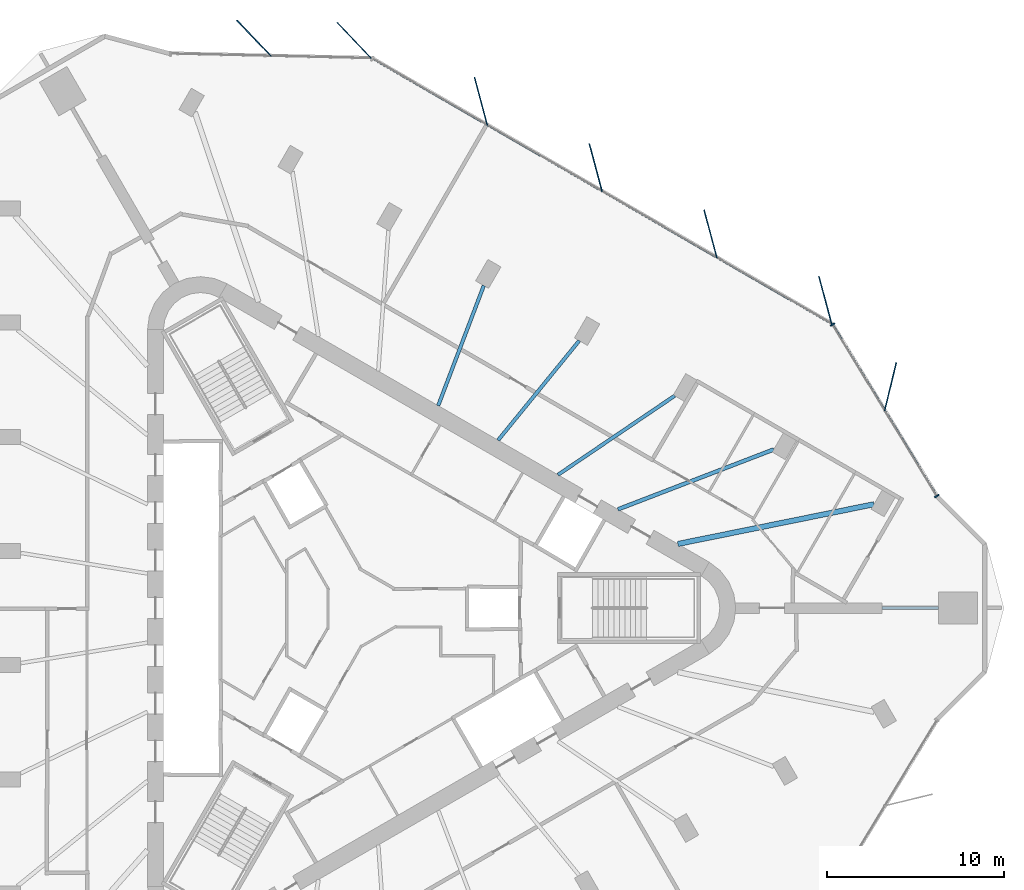
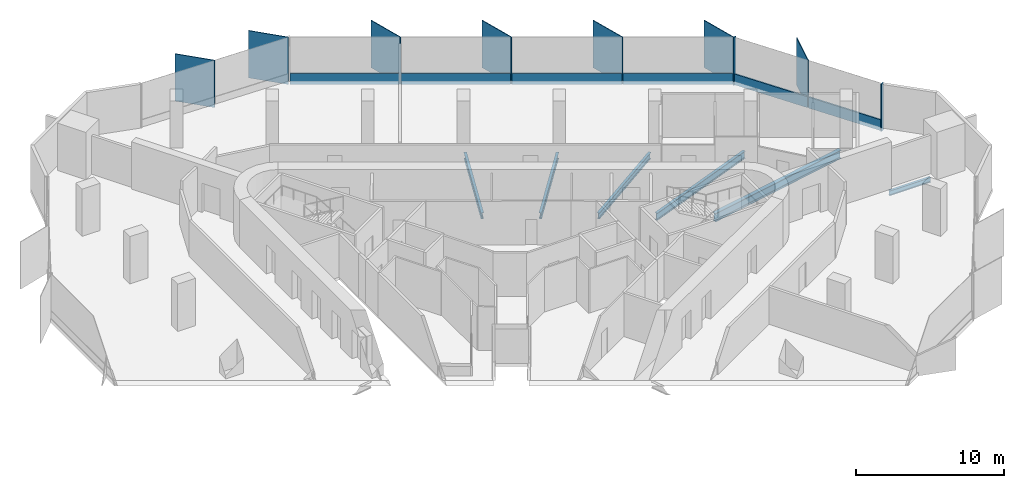
# One storey, part 5 of 12: 15 members, 6 beams, 3 elements without a shape of their own.
"""IFC4 building model written with IfcOpenShell, lengths in metres."""

import ifcopenshell
import ifcopenshell.guid

model = None  # the IFC model being written
_history = None  # IfcOwnerHistory: only IFC2X3 demands one
_inside = {}  # id of a spatial element -> (the spatial element, [elements in it])
_under = {}  # id of a project, library or spatial element -> (it, [spatial elements below it])
_declared = {}  # id of a project -> (the project, [libraries it declares])
_typed = {}  # id of a type object -> (the type object, [elements of that type])
_made_of = {}  # id of a material, layer set ... -> (it, [elements and type objects made of it])


def new_model(schema):
    """Start an empty IFC model of exactly this schema.

    Asked for "IFC4X3", IfcOpenShell would pick the latest addendum, in which some entities
    have other attributes; the version numbers below select the first issue.
    IFC2X3 requires an IfcOwnerHistory on every rooted entity: one is made here for all.
    """
    global model, _history
    if schema == "IFC4X3":
        model = ifcopenshell.file(schema_version=(4, 3, 0, 0))
    else:
        model = ifcopenshell.file(schema=schema)
    _inside.clear()
    _under.clear()
    _declared.clear()
    _typed.clear()
    _made_of.clear()
    _history = None
    if model.schema == "IFC2X3":
        org = make("IfcOrganization", Name="unknown")
        user = make(
            "IfcPersonAndOrganization",
            ThePerson=make("IfcPerson", FamilyName="unknown"),
            TheOrganization=org,
        )
        app = make(
            "IfcApplication",
            ApplicationDeveloper=org,
            Version="unknown",
            ApplicationFullName="unknown",
            ApplicationIdentifier="unknown",
        )
        _history = make(
            "IfcOwnerHistory",
            OwningUser=user,
            OwningApplication=app,
            ChangeAction="ADDED",
            CreationDate=0,
        )
    return model


def make(cls, **values):
    """One entity of the class cls with the attributes given. An attribute that is None is left unset."""
    return model.create_entity(
        cls, **{name: value for name, value in values.items() if value is not None}
    )


def rooted(cls, **values):
    """An entity with a GlobalId (a new one), such as an element, a storey or a relation."""
    return make(cls, GlobalId=ifcopenshell.guid.new(), OwnerHistory=_history, **values)


def si_unit(unit_type, name, prefix=None):
    """IfcSIUnit, for example si_unit("LENGTHUNIT", "METRE", prefix="MILLI")."""
    return make("IfcSIUnit", UnitType=unit_type, Prefix=prefix, Name=name)


def assignment(units):
    """IfcUnitAssignment: the units of a project."""
    return None if units is None else make("IfcUnitAssignment", Units=units)


def point(xyz):
    """IfcCartesianPoint."""
    return None if xyz is None else make("IfcCartesianPoint", Coordinates=xyz)


def direction(xyz):
    """IfcDirection."""
    return None if xyz is None else make("IfcDirection", DirectionRatios=xyz)


def frame(location, z_axis=None, x_axis=None):
    """IfcAxis2Placement3D, a coordinate frame: its origin and axes. An axis left out is left unset."""
    return make(
        "IfcAxis2Placement3D",
        Location=point(location),
        Axis=direction(z_axis),
        RefDirection=direction(x_axis),
    )


def frame_2d(location, x_axis=None):
    """IfcAxis2Placement2D, a coordinate frame in the plane: its origin and x axis."""
    return make(
        "IfcAxis2Placement2D", Location=point(location), RefDirection=direction(x_axis)
    )


def origin():
    """The frame at (0, 0, 0) with its axes left unset."""
    return frame((0.0, 0.0, 0.0))


def origin_2d():
    """The frame at (0, 0) in the plane with its x axis left unset."""
    return frame_2d((0.0, 0.0))


def place(relative_to, where):
    """IfcLocalPlacement: puts the frame where relative to a parent placement (None: the world)."""
    return make(
        "IfcLocalPlacement", PlacementRelTo=relative_to, RelativePlacement=where
    )


def context(
    kind, dimensions, precision=None, world=None, true_north=None, identifier=None
):
    """IfcGeometricRepresentationContext, for example the 3D "Model" context."""
    return make(
        "IfcGeometricRepresentationContext",
        ContextIdentifier=identifier,
        ContextType=kind,
        CoordinateSpaceDimension=dimensions,
        Precision=precision,
        WorldCoordinateSystem=world,
        TrueNorth=true_north,
    )


def subcontext(parent, identifier, kind, view, scale=None):
    """IfcGeometricRepresentationSubContext, for example "Body" below "Model"."""
    return make(
        "IfcGeometricRepresentationSubContext",
        ContextIdentifier=identifier,
        ContextType=kind,
        ParentContext=parent,
        TargetScale=scale,
        TargetView=view,
    )


def project(units=None, contexts=None):
    """IfcProject with its units and contexts."""
    return rooted(
        "IfcProject",
        Name="project",
        RepresentationContexts=contexts,
        UnitsInContext=assignment(units),
    )


def spatial(cls, under=None, at=None, **own):
    """A site, building, storey or space (cls), placed at a placement, below another one or the project."""
    s = rooted(cls, ObjectPlacement=at, **own)
    if under is not None:
        _under.setdefault(under.id(), (under, []))[1].append(s)
    return s


def profile(cls, at=None, kind="AREA", **sizes):
    """A parametric profile (cls). Its sizes go by their IFC names, for example OverallWidth=200.0."""
    return make(cls, ProfileType=kind, Position=at, **sizes)


def rectangle(**sizes):
    """IfcRectangleProfileDef."""
    return profile("IfcRectangleProfileDef", **sizes)


def i_section(**sizes):
    """IfcIShapeProfileDef."""
    return profile("IfcIShapeProfileDef", **sizes)


def extrude(swept, where, along, depth):
    """IfcExtrudedAreaSolid: the profile swept, set in the frame where, extruded along a direction by depth."""
    return make(
        "IfcExtrudedAreaSolid",
        SweptArea=swept,
        Position=where,
        ExtrudedDirection=direction(along),
        Depth=depth,
    )


def shape(context_of_items, identifier, shape_type, items):
    """IfcShapeRepresentation: the items that make up one representation, for example the "Body"."""
    return make(
        "IfcShapeRepresentation",
        ContextOfItems=context_of_items,
        RepresentationIdentifier=identifier,
        RepresentationType=shape_type,
        Items=items,
    )


def material(Name=None, Category=None):
    """IfcMaterial."""
    return make("IfcMaterial", Name=Name, Category=Category)


def material_profile(
    of_material, cross_section, Name=None, Category=None, Priority=None
):
    """IfcMaterialProfile: a cross section and its material."""
    return make(
        "IfcMaterialProfile",
        Name=Name,
        Material=of_material,
        Profile=cross_section,
        Priority=Priority,
        Category=Category,
    )


def profile_set(profiles, Name=None, composite=None):
    """IfcMaterialProfileSet."""
    return make(
        "IfcMaterialProfileSet",
        Name=Name,
        MaterialProfiles=profiles,
        CompositeProfile=composite,
    )


def made_of(thing, what):
    """Note that an element or type object is made of a material, layer set ...; save() writes the relation."""
    if what is not None:
        _made_of.setdefault(what.id(), (what, []))[1].append(thing)
    return thing


def type_object(cls, material=None, **own):
    """A type object (cls), such as IfcWallType, which elements share."""
    return made_of(rooted(cls, **own), material)


def element(
    cls,
    number,
    at=None,
    inside=None,
    cuts=None,
    type_object=None,
    material=None,
    context=None,
    identifier="Body",
    shape_type=None,
    held_by="IfcProductDefinitionShape",
    body=None,
    shapes=None,
    **own,
):
    """One element of the class cls, such as IfcWall. Its Tag is "e" and its number.

    at: its placement. inside: the storey or other place that contains it. cuts: it is an
    opening in that element (IfcRelVoidsElement). A single representation is given by context,
    identifier, shape_type and body (its items); several are given by shapes. held_by: the class
    of the entity that holds the representations. save() writes the other relations.
    """
    e = rooted(cls, Tag="e%d" % number, ObjectPlacement=at, **own)
    if body is not None:
        shapes = [shape(context, identifier, shape_type, body)]
    if shapes is not None:
        e.Representation = make(held_by, Representations=shapes)
    if inside is not None:
        _inside.setdefault(inside.id(), (inside, []))[1].append(e)
    if cuts is not None:
        rooted(
            "IfcRelVoidsElement", RelatingBuildingElement=cuts, RelatedOpeningElement=e
        )
    if type_object is not None:
        _typed.setdefault(type_object.id(), (type_object, []))[1].append(e)
    return made_of(e, material)


def aggregate(whole, parts):
    """IfcRelAggregates: a whole, such as a stair, and the parts it consists of."""
    return rooted("IfcRelAggregates", RelatingObject=whole, RelatedObjects=parts)


def save(model, path):
    """Write the relations noted so far, then the file.

    IfcRelAggregates (storeys below a building ...), IfcRelContainedInSpatialStructure (elements
    in a storey), IfcRelDefinesByType, IfcRelAssociatesMaterial and IfcRelDeclares: one each for
    every whole, place, type object, material and project.
    """
    for whole, parts in _under.values():
        aggregate(whole, parts)
    for where, things in _inside.values():
        rooted(
            "IfcRelContainedInSpatialStructure",
            RelatedElements=things,
            RelatingStructure=where,
        )
    for kind, things in _typed.values():
        rooted("IfcRelDefinesByType", RelatedObjects=things, RelatingType=kind)
    for what, things in _made_of.values():
        rooted("IfcRelAssociatesMaterial", RelatedObjects=things, RelatingMaterial=what)
    for by, libraries in _declared.values():
        rooted("IfcRelDeclares", RelatingContext=by, RelatedDefinitions=libraries)
    model.write(path)


model = new_model("IFC4")

# Units and contexts
model_context = context("Model", 3, precision=1e-05, world=origin(), true_north=direction((0.0, 1.0)))
body_context = subcontext(model_context, "Body", "Model", "MODEL_VIEW")
ifc_project = project(units=[si_unit("LENGTHUNIT", "METRE"), si_unit("AREAUNIT", "SQUARE_METRE"), si_unit("VOLUMEUNIT", "CUBIC_METRE"), si_unit("PLANEANGLEUNIT", "RADIAN"), si_unit("MASSUNIT", "GRAM", prefix="KILO")], contexts=[model_context])

# Site, building, storey
site_placement = place(None, origin())
site = spatial("IfcSite", under=ifc_project, at=site_placement, CompositionType="ELEMENT")
building_placement = place(site_placement, origin())
building = spatial("IfcBuilding", under=site, at=building_placement, Name="Tanit Gate Tower", CompositionType="ELEMENT")
storey_placement = place(building_placement, frame((0.0, 0.0, 341.60009765625)))
storey = spatial("IfcBuildingStorey", under=building, at=storey_placement, Name="L77", CompositionType="ELEMENT", Elevation=341.60009765625)

# Curtain wall, member
ifc_material_1 = material(Name="Aluminium bronze anodised and glass", Category="aluminium")
curtain_wall_type = type_object("IfcCurtainWallType", Name="Curtain wall typical high", PredefinedType="NOTDEFINED", material=ifc_material_1)
curtain_wall_1_placement = place(storey_placement, origin())
curtain_wall_1 = element("IfcCurtainWall", 1, at=curtain_wall_1_placement, inside=storey, type_object=curtain_wall_type, Name="Curtain wall L77 NE1", PredefinedType="NOTDEFINED")
ifc_material_2 = material(Name="Aluminium bronze anodised", Category="aluminium")
ifc_material_profile_1 = material_profile(ifc_material_2, rectangle(XDim=2.800048828125, YDim=0.055908203125, at=origin_2d()), Name="56x2800 bronze fin mullion")
ifc_profile_set_1 = profile_set([ifc_material_profile_1], Name="Aluminium bronze anodised")
member_type_1 = type_object("IfcMemberType", Name="FIN MULLION 56x2800 bronze", PredefinedType="MULLION", material=ifc_profile_set_1)
member_1_placement = place(storey_placement, frame((29.96044921875, 12.53466796875, -0.300048828125), z_axis=(0.0, 0.0, 1.0), x_axis=(-0.236495508607, -0.971632582002, 0.0)))
member_1 = element("IfcMember", 2, at=member_1_placement, type_object=member_type_1, Name="Fin mullion L77 NE1.2", PredefinedType="MULLION", context=body_context, shape_type="SweptSolid", body=[
    extrude(rectangle(XDim=2.800048828125, YDim=0.055908203125, at=origin_2d()), origin(), (0.0, 0.0, 1.0), 3.89990234375),
])

# Curtain wall, members
curtain_wall_2_placement = place(storey_placement, origin())
curtain_wall_2 = element("IfcCurtainWall", 3, at=curtain_wall_2_placement, inside=storey, type_object=curtain_wall_type, Name="Curtain wall L77 NE2", PredefinedType="NOTDEFINED")
member_2_placement = place(storey_placement, frame((26.2685546875, 17.43408203125, -0.300048828125), z_axis=(0.0, 0.0, 1.0), x_axis=(0.25875206837, -0.965943770162, 0.0)))
member_2 = element("IfcMember", 4, at=member_2_placement, type_object=member_type_1, Name="Fin mullion L77 NE2.1", PredefinedType="MULLION", context=body_context, shape_type="SweptSolid", body=[
    extrude(rectangle(XDim=2.800048828125, YDim=0.055908203125, at=origin_2d()), origin(), (0.0, 0.0, 1.0), 3.89990234375),
])
member_3_placement = place(storey_placement, frame((19.77001953125, 21.1865234375, -0.300048828125), z_axis=(0.0, 0.0, 1.0), x_axis=(0.25875206837, -0.965943770162, 0.0)))
member_3 = element("IfcMember", 5, at=member_3_placement, type_object=member_type_1, Name="Fin mullion L77 NE2.2", PredefinedType="MULLION", context=body_context, shape_type="SweptSolid", body=[
    extrude(rectangle(XDim=2.800048828125, YDim=0.055908203125, at=origin_2d()), origin(), (0.0, 0.0, 1.0), 3.89990234375),
])
member_4_placement = place(storey_placement, frame((13.271728515625, 24.93896484375, -0.300048828125), z_axis=(0.0, 0.0, 1.0), x_axis=(0.25875206837, -0.965943770162, 0.0)))
member_4 = element("IfcMember", 6, at=member_4_placement, type_object=member_type_1, Name="Fin mullion L77 NE2.3", PredefinedType="MULLION", context=body_context, shape_type="SweptSolid", body=[
    extrude(rectangle(XDim=2.800048828125, YDim=0.055908203125, at=origin_2d()), origin(), (0.0, 0.0, 1.0), 3.89990234375),
])
member_5_placement = place(storey_placement, frame((6.7734375, 28.69140625, -0.300048828125), z_axis=(0.0, 0.0, 1.0), x_axis=(0.25875206837, -0.965943770162, 0.0)))
member_5 = element("IfcMember", 7, at=member_5_placement, type_object=member_type_1, Name="Fin mullion L77 NE2.4", PredefinedType="MULLION", context=body_context, shape_type="SweptSolid", body=[
    extrude(rectangle(XDim=2.800048828125, YDim=0.055908203125, at=origin_2d()), origin(), (0.0, 0.0, 1.0), 3.89990234375),
])

curtain_wall_3_placement = place(storey_placement, origin())
curtain_wall_3 = element("IfcCurtainWall", 8, at=curtain_wall_3_placement, inside=storey, type_object=curtain_wall_type, Name="Curtain wall L77 NE3", PredefinedType="NOTDEFINED")
member_6_placement = place(storey_placement, frame((-0.39599609375, 32.129638671875, -0.300048828125), z_axis=(0.0, 0.0, 1.0), x_axis=(0.690743181082, -0.723100171338, 0.0)))
member_6 = element("IfcMember", 9, at=member_6_placement, type_object=member_type_1, Name="Fin mullion L77 NE3.1", PredefinedType="MULLION", context=body_context, shape_type="SweptSolid", body=[
    extrude(rectangle(XDim=2.800048828125, YDim=0.055908203125, at=origin_2d()), origin(), (0.0, 0.0, 1.0), 3.89990234375),
])
member_7_placement = place(storey_placement, frame((-6.075927734375, 32.259765625, -0.300048828125), z_axis=(0.0, 0.0, 1.0), x_axis=(0.690743181082, -0.723100171338, 0.0)))
member_7 = element("IfcMember", 10, at=member_7_placement, type_object=member_type_1, Name="Fin mullion L77 NE3.2", PredefinedType="MULLION", context=body_context, shape_type="SweptSolid", body=[
    extrude(rectangle(XDim=2.800048828125, YDim=0.055908203125, at=origin_2d()), origin(), (0.0, 0.0, 1.0), 3.89990234375),
])
aggregate(curtain_wall_3, [member_6, member_7])

# Member
ifc_material_3 = material(Name="Aluminium bronze anodised", Category="aluminium")
ifc_material_profile_2 = material_profile(ifc_material_3, rectangle(XDim=0.280029296875, YDim=0.080078125, at=origin_2d()), Name="80x280 bronze mullion")
ifc_profile_set_2 = profile_set([ifc_material_profile_2], Name="Aluminium bronze anodised")
member_type_2 = type_object("IfcMemberType", Name="Mullion 80x280 typical high", PredefinedType="MULLION", material=ifc_profile_set_2)
member_8_placement = place(storey_placement, frame((32.587158203125, 6.340576171875, -0.300048828125), z_axis=(0.0, 0.0, 1.0), x_axis=(-0.854275565412, -0.519820409699, 0.0)))
member_8 = element("IfcMember", 11, at=member_8_placement, type_object=member_type_2, Name="Mullion L77 NE1.1", PredefinedType="MULLION", context=body_context, shape_type="SweptSolid", body=[
    extrude(rectangle(XDim=0.280029296875, YDim=0.080078125, at=origin_2d()), origin(), (0.0, 0.0, 1.0), 3.89990234375),
])

member_9_placement = place(storey_placement, frame((26.68115234375, 16.046875, -0.300048828125), z_axis=(0.0, 0.0, 1.0), x_axis=(-0.854275565412, -0.519820409699, 0.0)))
member_9 = element("IfcMember", 12, at=member_9_placement, type_object=member_type_2, Name="Mullion L77 NE1.3", PredefinedType="MULLION", context=body_context, shape_type="SweptSolid", body=[
    extrude(rectangle(XDim=0.280029296875, YDim=0.080078125, at=origin_2d()), origin(), (0.0, 0.0, 1.0), 3.89990234375),
])

# Beams
ifc_material_4 = material(Name="Steel S355", Category="steel")
ifc_material_profile_3 = material_profile(ifc_material_4, i_section(OverallWidth=0.300048828125, OverallDepth=0.68994140625, WebThickness=0.014404296875, FlangeThickness=0.027099609375, FilletRadius=0.027099609375, at=origin_2d()), Name="HEA 700")
ifc_profile_set_3 = profile_set([ifc_material_profile_3], Name="Steel S355")
beam_type_1 = type_object("IfcBeamType", Name="RADIAL GIRDER HEA 700 S355", PredefinedType="BEAM", material=ifc_profile_set_3)
beam_1_placement = place(storey_placement, frame((29.02587890625, 5.876953125, -0.64501953125), z_axis=(-0.980109678628, -0.198456589357, 0.0), x_axis=(0.198456589357, -0.980109678628, 0.0)))
element("IfcBeam", 13, at=beam_1_placement, inside=storey, type_object=beam_type_1, Name="RADIAL GIRDER", PredefinedType="BEAM", context=body_context, shape_type="SweptSolid", body=[
    extrude(i_section(OverallWidth=0.300048828125, OverallDepth=0.68994140625, WebThickness=0.014404296875, FlangeThickness=0.027099609375, FilletRadius=0.027099609375, at=origin_2d()), origin(), (0.0, 0.0, 1.0), 11.331298828125),
])
ifc_material_5 = material(Name="Steel S355", Category="steel")
ifc_material_profile_4 = material_profile(ifc_material_5, i_section(OverallWidth=0.179931640625, OverallDepth=0.39990234375, WebThickness=0.008544921875, FlangeThickness=0.013427734375, FilletRadius=0.02099609375, at=origin_2d()), Name="IPE 400")
ifc_profile_set_4 = profile_set([ifc_material_profile_4], Name="Steel S355")
beam_type_2 = type_object("IfcBeamType", Name="RADIAL GIRDER IPE 400 S355", PredefinedType="BEAM", material=ifc_profile_set_4)
beam_2_placement = place(storey_placement, frame((32.687255859375, 0.0, -0.5), z_axis=(-1.0, 0.0, 0.0), x_axis=(0.0, -1.0, 0.0)))
element("IfcBeam", 14, at=beam_2_placement, inside=storey, type_object=beam_type_2, Name="RADIAL GIRDER", PredefinedType="BEAM", context=body_context, shape_type="SweptSolid", body=[
    extrude(i_section(OverallWidth=0.179931640625, OverallDepth=0.39990234375, WebThickness=0.008544921875, FlangeThickness=0.013427734375, FilletRadius=0.02099609375, at=origin_2d()), origin(), (0.0, 0.0, 1.0), 3.216552734375),
])
ifc_material_6 = material(Name="Steel S355", Category="steel")
ifc_material_profile_5 = material_profile(ifc_material_6, i_section(OverallWidth=0.199951171875, OverallDepth=0.5, WebThickness=0.01025390625, FlangeThickness=0.01611328125, FilletRadius=0.02099609375, at=origin_2d()), Name="IPE 500")
ifc_profile_set_5 = profile_set([ifc_material_profile_5], Name="Steel S355")
beam_type_3 = type_object("IfcBeamType", Name="RADIAL GIRDER IPE 500 S355", PredefinedType="BEAM", material=ifc_profile_set_5)
beam_3_placement = place(storey_placement, frame((17.741455078125, 12.016845703125, -0.550048828125), z_axis=(-0.827954450749, -0.560795352589, 0.0), x_axis=(0.560795352589, -0.827954450749, 0.0)))
element("IfcBeam", 15, at=beam_3_placement, inside=storey, type_object=beam_type_3, Name="RADIAL GIRDER", PredefinedType="BEAM", context=body_context, shape_type="SweptSolid", body=[
    extrude(i_section(OverallWidth=0.199951171875, OverallDepth=0.5, WebThickness=0.01025390625, FlangeThickness=0.01611328125, FilletRadius=0.02099609375, at=origin_2d()), origin(), (0.0, 0.0, 1.0), 7.97607421875),
])
for number, where, z_axis, x_axis, name in (
    (16, (12.339599609375, 15.135498046875, -0.550048828125), (-0.631881514108, -0.775064998648, 0.0), (0.775064998648, -0.631881514108, 0.0), "RADIAL GIRDER"),
    (17, (6.93798828125, 18.25439453125, -0.550048828125), (-0.355282914481, -0.934758819524, 0.0), (0.934758819524, -0.355282914481, 0.0), "RADIAL GIRDER"),
):
    element("IfcBeam", number, at=place(storey_placement, frame(where, z_axis=z_axis, x_axis=x_axis)), inside=storey, type_object=beam_type_3, Name=name, PredefinedType="BEAM", context=body_context, shape_type="SweptSolid", body=[
        extrude(i_section(OverallWidth=0.199951171875, OverallDepth=0.5, WebThickness=0.01025390625, FlangeThickness=0.01611328125, FilletRadius=0.02099609375, at=origin_2d()), origin(), (0.0, 0.0, 1.0), 7.268798828125),
    ])
ifc_material_7 = material(Name="Steel S355", Category="steel")
ifc_material_profile_6 = material_profile(ifc_material_7, i_section(OverallWidth=0.219970703125, OverallDepth=0.60009765625, WebThickness=0.011962890625, FlangeThickness=0.01904296875, FilletRadius=0.02392578125, at=origin_2d()), Name="IPE 600")
ifc_profile_set_6 = profile_set([ifc_material_profile_6], Name="Steel S355")
beam_type_4 = type_object("IfcBeamType", Name="RADIAL GIRDER IPE 600 S355", PredefinedType="BEAM", material=ifc_profile_set_6)
beam_4_placement = place(storey_placement, frame((23.352783203125, 8.978759765625, -0.60009765625), z_axis=(-0.933390193585, -0.358863130622, 0.0), x_axis=(0.358863130622, -0.933390193585, 0.0)))
element("IfcBeam", 18, at=beam_4_placement, inside=storey, type_object=beam_type_4, Name="RADIAL GIRDER", PredefinedType="BEAM", context=body_context, shape_type="SweptSolid", body=[
    extrude(i_section(OverallWidth=0.219970703125, OverallDepth=0.60009765625, WebThickness=0.011962890625, FlangeThickness=0.01904296875, FilletRadius=0.02392578125, at=origin_2d()), origin(), (0.0, 0.0, 1.0), 9.45361328125),
])

# Member
ifc_material_8 = material(Name="Aluminium bronze anodised", Category="aluminium")
ifc_material_profile_7 = material_profile(ifc_material_8, rectangle(XDim=0.1201171875, YDim=0.89990234375, at=origin_2d()), Name="120x900 bronze transom")
ifc_profile_set_7 = profile_set([ifc_material_profile_7], Name="Aluminium bronze anodised")
member_type_3 = type_object("IfcMemberType", Name="Transom 120x900 typical high", PredefinedType="USERDEFINED", material=ifc_profile_set_7)
member_10_placement = place(storey_placement, frame((32.56640625, 6.374755859375, 0.14990234375), z_axis=(-0.519812803003, 0.854280193984, 0.0), x_axis=(-0.854280193984, -0.519812803003, 0.0)))
member_10 = element("IfcMember", 19, at=member_10_placement, type_object=member_type_3, Name="Transom L77 NE1.1", ObjectType="TRANSOM", PredefinedType="USERDEFINED", context=body_context, shape_type="SweptSolid", body=[
    extrude(rectangle(XDim=0.1201171875, YDim=0.89990234375, at=origin_2d()), origin(), (0.0, 0.0, 1.0), 5.600830078125),
])

member_11_placement = place(storey_placement, frame((29.61328125, 11.227783203125, 0.14990234375), z_axis=(-0.519793446687, 0.854291971624, 0.0), x_axis=(-0.854291971624, -0.519793446687, 0.0)))
member_11 = element("IfcMember", 20, at=member_11_placement, type_object=member_type_3, Name="Transom L77 NE1.2", ObjectType="TRANSOM", PredefinedType="USERDEFINED", context=body_context, shape_type="SweptSolid", body=[
    extrude(rectangle(XDim=0.1201171875, YDim=0.89990234375, at=origin_2d()), origin(), (0.0, 0.0, 1.0), 5.60107421875),
])

aggregate(curtain_wall_1, [member_8, member_1, member_9, member_10, member_11])

member_12_placement = place(storey_placement, frame((26.591064453125, 16.120849609375, 0.14990234375), z_axis=(-0.865981856165, 0.500075419105, 0.0), x_axis=(-0.500075419105, -0.865981856165, 0.0)))
member_12 = element("IfcMember", 21, at=member_12_placement, type_object=member_type_3, Name="Transom L77 NE2.1", ObjectType="TRANSOM", PredefinedType="USERDEFINED", context=body_context, shape_type="SweptSolid", body=[
    extrude(rectangle(XDim=0.1201171875, YDim=0.89990234375, at=origin_2d()), origin(), (0.0, 0.0, 1.0), 7.424072265625),
])

member_13_placement = place(storey_placement, frame((20.092529296875, 19.873291015625, 0.14990234375), z_axis=(-0.865973632195, 0.500089660304, 0.0), x_axis=(-0.500089660304, -0.865973632195, 0.0)))
member_13 = element("IfcMember", 22, at=member_13_placement, type_object=member_type_3, Name="Transom L77 NE2.2", ObjectType="TRANSOM", PredefinedType="USERDEFINED", context=body_context, shape_type="SweptSolid", body=[
    extrude(rectangle(XDim=0.1201171875, YDim=0.89990234375, at=origin_2d()), origin(), (0.0, 0.0, 1.0), 7.424072265625),
])

member_14_placement = place(storey_placement, frame((13.59423828125, 23.6259765625, 0.14990234375), z_axis=(-0.86599609691, 0.500050757561, 0.0), x_axis=(-0.500050757561, -0.86599609691, 0.0)))
member_14 = element("IfcMember", 23, at=member_14_placement, type_object=member_type_3, Name="Transom L77 NE2.3", ObjectType="TRANSOM", PredefinedType="USERDEFINED", context=body_context, shape_type="SweptSolid", body=[
    extrude(rectangle(XDim=0.1201171875, YDim=0.89990234375, at=origin_2d()), origin(), (0.0, 0.0, 1.0), 7.424072265625),
])

member_15_placement = place(storey_placement, frame((7.095703125, 27.37841796875, 0.14990234375), z_axis=(-0.865987873615, 0.500064998526, 0.0), x_axis=(-0.500064998526, -0.865987873615, 0.0)))
member_15 = element("IfcMember", 24, at=member_15_placement, type_object=member_type_3, Name="Transom L77 NE2.4", ObjectType="TRANSOM", PredefinedType="USERDEFINED", context=body_context, shape_type="SweptSolid", body=[
    extrude(rectangle(XDim=0.1201171875, YDim=0.89990234375, at=origin_2d()), origin(), (0.0, 0.0, 1.0), 7.423828125),
])

aggregate(curtain_wall_2, [member_2, member_3, member_4, member_5, member_12, member_13, member_14, member_15])

save(model, "model.ifc")
